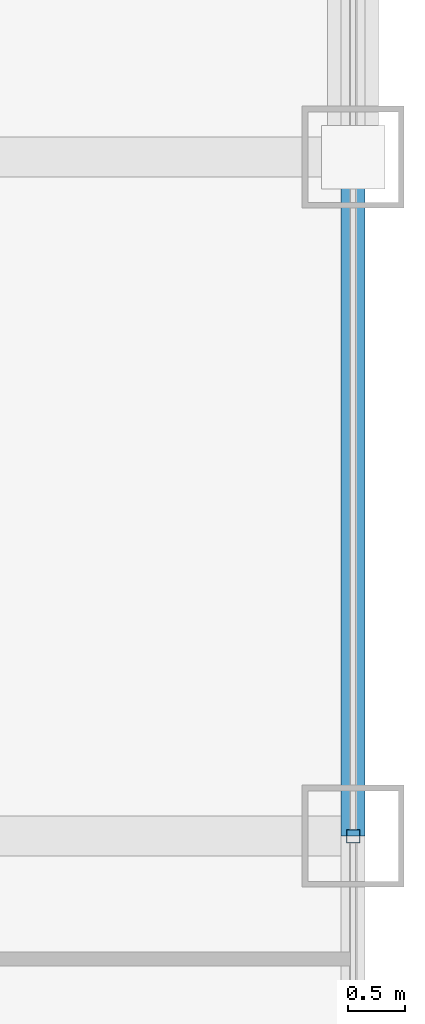
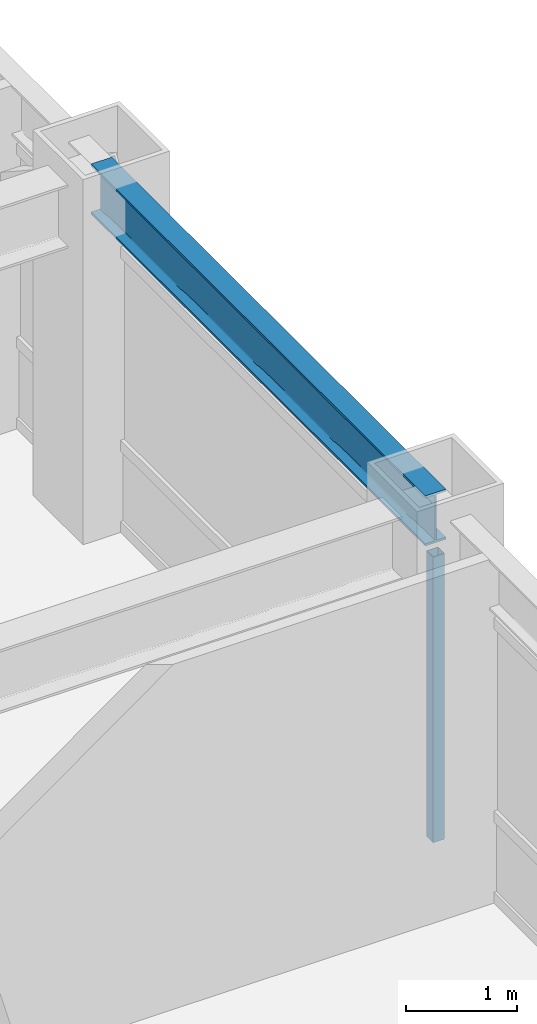
# One storey, part 10 of 29: 1 beam, 1 member, 1 element without a shape of its own.
"""IFC4 building model written with IfcOpenShell, lengths in metres."""

from ifc_helpers import new_model, si_unit, direction, frame, origin, origin_2d, place, context, subcontext, project, spatial, hollow_rectangle, i_section, extrude, source, transform, mapped, material, material_profile, profile_set, type_object, element, aggregate, save


model = new_model("IFC4")

# Units and contexts
model_context = context("Model", 3, precision=1e-05, world=origin(), true_north=direction((0.0, 1.0)))
body_context = subcontext(model_context, "Body", "Model", "MODEL_VIEW")
ifc_project = project(units=[si_unit("LENGTHUNIT", "METRE"), si_unit("AREAUNIT", "SQUARE_METRE"), si_unit("VOLUMEUNIT", "CUBIC_METRE"), si_unit("PLANEANGLEUNIT", "RADIAN"), si_unit("MASSUNIT", "GRAM", prefix="KILO")], contexts=[model_context])

# Site, building, storey
site_placement = place(None, origin())
site = spatial("IfcSite", under=ifc_project, at=site_placement, CompositionType="ELEMENT")
building_placement = place(site_placement, origin())
building = spatial("IfcBuilding", under=site, at=building_placement, Name="Khorayat Bourse Tower", CompositionType="ELEMENT")
storey_placement = place(building_placement, frame((0.0, 0.0, 277.5)))
storey = spatial("IfcBuildingStorey", under=building, at=storey_placement, Name="L65", CompositionType="ELEMENT", Elevation=277.5)

# Beam
ifc_material_1 = material(Name="Steel ASTM A992 Grade 50", Category="steel")
ifc_material_profile_1 = material_profile(ifc_material_1, i_section(OverallWidth=0.214111328125, OverallDepth=0.549072265625, WebThickness=0.0146484375, FlangeThickness=0.023681640625, FilletRadius=0.013916015625, at=origin_2d()), Name="W530X138")
ifc_profile_set_1 = profile_set([ifc_material_profile_1], Name="Steel ASTM A992 Grade 50")
beam_type = type_object("IfcBeamType", Name="BM-SPAN-530", PredefinedType="SPANDREL", material=ifc_profile_set_1)
shared_shape_1 = source(origin(), body_context, "Body", "SweptSolid", [
    extrude(i_section(OverallWidth=0.214111328125, OverallDepth=0.549072265625, WebThickness=0.0146484375, FlangeThickness=0.023681640625, FilletRadius=0.013916015625, at=origin_2d()), origin(), (0.0, 0.0, 1.0), 6.0),
])
beam_placement = place(storey_placement, frame((28.0, 0.0, 3.505615234375), z_axis=(0.0, 1.0, 0.0), x_axis=(-1.0, 0.0, 0.0)))
element("IfcBeam", 1, at=beam_placement, inside=storey, type_object=beam_type, Name="L65 BM-SPAN-530 BM-L65-SPN-038", PredefinedType="SPANDREL", context=body_context, shape_type="MappedRepresentation", body=[
    mapped(shared_shape_1, transform((0.0, 0.0, 0.0), scale=1.0)),
])

# Curtain wall, member
ifc_material_2 = material(Name="Aluminium EN AW-6063 T6", Category="aluminium")
curtain_wall_type = type_object("IfcCurtainWallType", Name="CW-SYS-04", PredefinedType="NOTDEFINED", material=ifc_material_2)
curtain_wall_placement = place(storey_placement, origin())
curtain_wall = element("IfcCurtainWall", 2, at=curtain_wall_placement, inside=storey, type_object=curtain_wall_type, Name="L65 Curtain Wall CW-L65-E1", PredefinedType="NOTDEFINED")
ifc_material_profile_2 = material_profile(ifc_material_2, hollow_rectangle(XDim=0.1201171875, YDim=0.1201171875, WallThickness=0.0048828125, at=origin_2d()), Name="ALU 120x120x5")
ifc_profile_set_2 = profile_set([ifc_material_profile_2], Name="Aluminium EN AW-6063 T6")
member_type = type_object("IfcMemberType", Name="CWM-VERT-120", PredefinedType="MULLION", material=ifc_profile_set_2)
shared_shape_2 = source(origin(), body_context, "Body", "SweptSolid", [
    extrude(hollow_rectangle(XDim=0.1201171875, YDim=0.1201171875, WallThickness=0.0048828125, at=origin_2d()), origin(), (0.0, 0.0, 1.0), 3.1298828125),
])
member_placement = place(storey_placement, frame((28.0, 0.0, 0.0), z_axis=(0.0, 0.0, 1.0), x_axis=(-1.0, 0.0, 0.0)))
member = element("IfcMember", 3, at=member_placement, type_object=member_type, Name="CW-L65-E1 Vertical Mullion 2", PredefinedType="MULLION", context=body_context, shape_type="MappedRepresentation", body=[
    mapped(shared_shape_2, transform((0.0, 0.0, 0.0), scale=1.0)),
])
aggregate(curtain_wall, [member])

save(model, "model.ifc")
